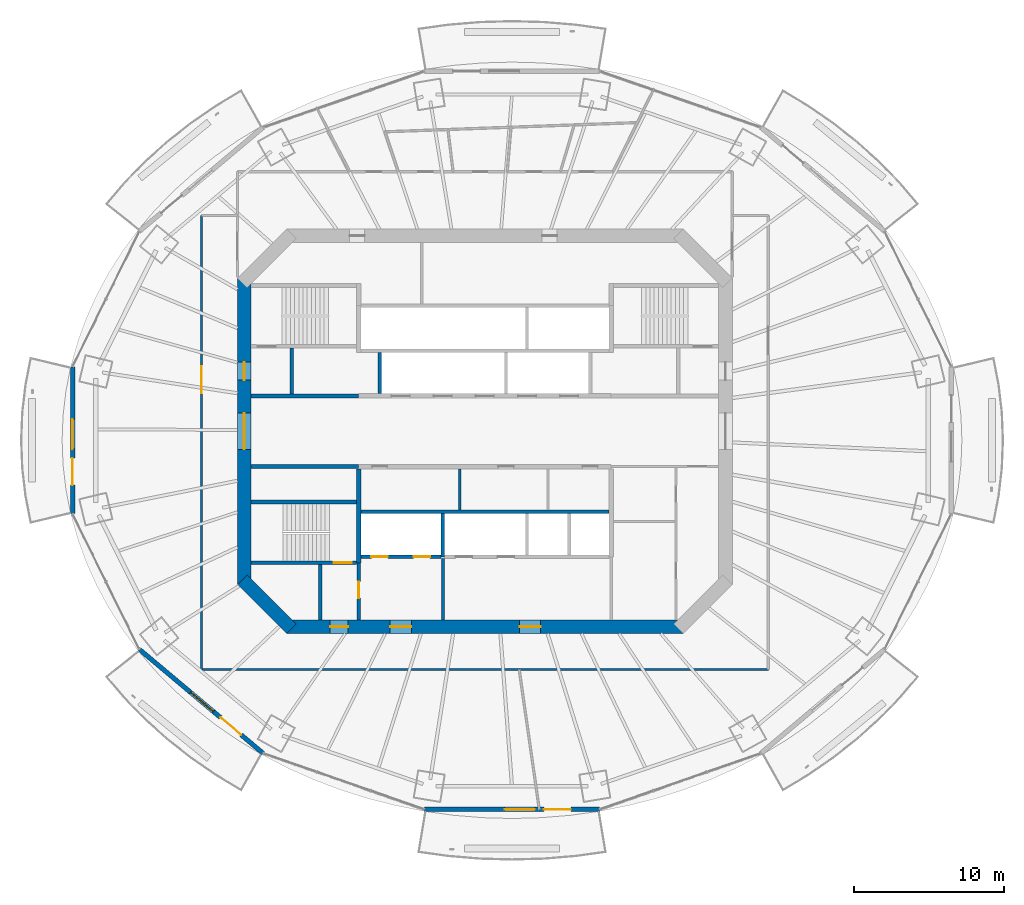
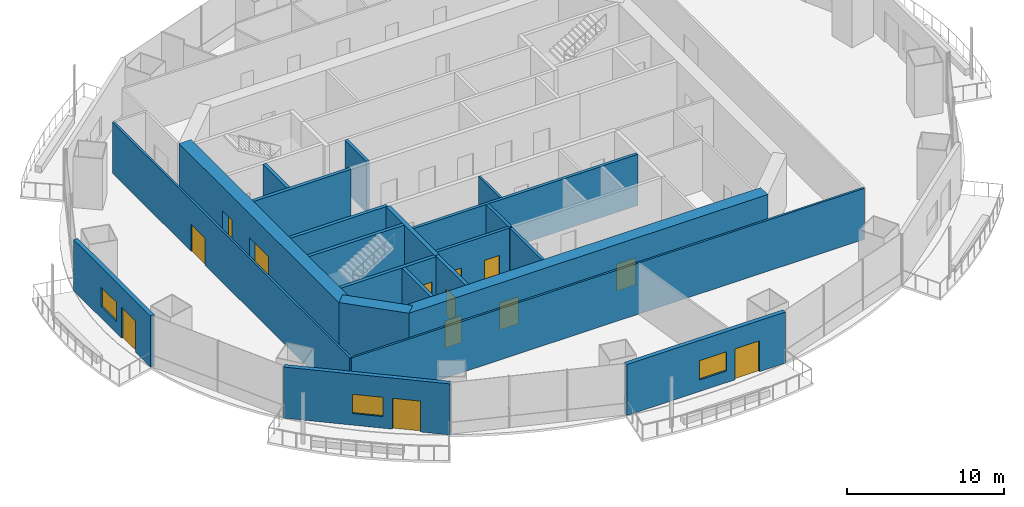
# One storey, part 10 of 19: 22 walls, 13 doors, 3 windows, 16 openings.
"""IFC4 building model written with IfcOpenShell, lengths in metres."""

from ifc_helpers import new_model, si_unit, direction, frame, frame_2d, origin, place, context, subcontext, project, spatial, rectangle, extrude, material, layer, layer_set, type_object, element, fill, save


model = new_model("IFC4")

# Units and contexts
model_context = context("Model", 3, precision=1e-05, world=origin(), true_north=direction((0.0, 1.0)))
body_context = subcontext(model_context, "Body", "Model", "MODEL_VIEW")
ifc_project = project(units=[si_unit("LENGTHUNIT", "METRE"), si_unit("AREAUNIT", "SQUARE_METRE"), si_unit("VOLUMEUNIT", "CUBIC_METRE"), si_unit("PLANEANGLEUNIT", "RADIAN"), si_unit("MASSUNIT", "GRAM", prefix="KILO")], contexts=[model_context])

# Site, building, storey
site_placement = place(None, origin())
site = spatial("IfcSite", under=ifc_project, at=site_placement, CompositionType="ELEMENT")
building_placement = place(site_placement, origin())
building = spatial("IfcBuilding", under=site, at=building_placement, Name="Marenthal Gate Tower", CompositionType="ELEMENT")
storey_placement = place(building_placement, frame((0.0, 0.0, 252.35009765625)))
storey = spatial("IfcBuildingStorey", under=building, at=storey_placement, Name="L56", CompositionType="ELEMENT", Elevation=252.35009765625)

# Wall, openings, doors
ifc_material_1 = material(Name="Concrete 60 MPa", Category="concrete")
ifc_layer_1 = layer(ifc_material_1, 0.89990234375)
ifc_layer_set_1 = layer_set([ifc_layer_1], Name="Core shear wall 900")
wall_type_1 = type_object("IfcWallType", Name="Core shear wall 900", PredefinedType="SHEAR", material=ifc_layer_set_1)
wall_1_placement = place(storey_placement, frame((-16.0, 10.186279296875, -0.18017578125), z_axis=(0.0, 0.0, 1.0), x_axis=(0.0, -1.0, 0.0)))
wall_1 = element("IfcWall", 1, at=wall_1_placement, inside=storey, type_object=wall_type_1, Name="Core wall 06", PredefinedType="SHEAR", context=body_context, shape_type="SweptSolid", body=[
    extrude(rectangle(XDim=20.37255859375, YDim=0.89990234375, at=frame_2d((10.186279296875, 0.0))), origin(), (0.0, 0.0, 1.0), 4.150146484375),
])
opening_1_placement = place(wall_1_placement, frame((8.986328125, 0.0, 0.179931640625)))
opening_1 = element("IfcOpeningElement", 2, at=opening_1_placement, cuts=wall_1, Name="Opening D003.01", PredefinedType="OPENING", context=body_context, shape_type="SweptSolid", body=[
    extrude(rectangle(XDim=2.39990234375, YDim=2.10009765625, at=frame_2d((1.199951171875, 1.050048828125))), frame((0.0, 0.4599609375, 0.0), z_axis=(0.0, -1.0, 0.0), x_axis=(1.0, 0.0, 0.0)), (0.0, 0.0, 1.0), 0.919921875),
])
opening_2_placement = place(wall_1_placement, frame((5.58642578125, 0.0, 0.179931640625)))
opening_2 = element("IfcOpeningElement", 3, at=opening_2_placement, cuts=wall_1, Name="Opening D001.04", PredefinedType="OPENING", context=body_context, shape_type="SweptSolid", body=[
    extrude(rectangle(XDim=1.199951171875, YDim=2.10009765625, at=frame_2d((0.60009765625, 1.050048828125))), frame((0.0, 0.4599609375, 0.0), z_axis=(0.0, -1.0, 0.0), x_axis=(1.0, 0.0, 0.0)), (0.0, 0.0, 1.0), 0.919921875),
])
ifc_material_2 = material(Name="Steel fire door", Category="steel")
door_type_1 = type_object("IfcDoorType", Name="Double fire door FD 45 2400 x 2100", OperationType="DOUBLE_DOOR_SINGLE_SWING", PredefinedType="DOOR", material=ifc_material_2)
door_1_placement = place(opening_1_placement, origin())
door_1 = element("IfcDoor", 4, at=door_1_placement, inside=storey, type_object=door_type_1, Name="Door D003.01", OperationType="DOUBLE_DOOR_SINGLE_SWING", OverallHeight=2.10009765625, OverallWidth=2.39990234375, PredefinedType="DOOR", context=body_context, shape_type="SweptSolid", body=[
    extrude(rectangle(XDim=2.39990234375, YDim=2.10009765625, at=frame_2d((1.199951171875, 1.050048828125))), frame((0.0, 0.02490234375, 0.0), z_axis=(0.0, -1.0, 0.0), x_axis=(1.0, 0.0, 0.0)), (0.0, 0.0, 1.0), 0.050048828125),
])
fill(opening_1, door_1)
ifc_material_3 = material(Name="Steel fire door", Category="steel")
door_type_2 = type_object("IfcDoorType", Name="Fire door FD 90 1200 x 2100", OperationType="NOTDEFINED", PredefinedType="DOOR", material=ifc_material_3)
door_2_placement = place(opening_2_placement, origin())
door_2 = element("IfcDoor", 5, at=door_2_placement, inside=storey, type_object=door_type_2, Name="Door D001.04", OperationType="SINGLE_SWING_RIGHT", OverallHeight=2.10009765625, OverallWidth=1.199951171875, PredefinedType="DOOR", context=body_context, shape_type="SweptSolid", body=[
    extrude(rectangle(XDim=1.199951171875, YDim=2.10009765625, at=frame_2d((0.60009765625, 1.050048828125))), frame((0.0, 0.02490234375, 0.0), z_axis=(0.0, -1.0, 0.0), x_axis=(1.0, 0.0, 0.0)), (0.0, 0.0, 1.0), 0.050048828125),
])
fill(opening_2, door_2)

# Wall
wall_2_placement = place(storey_placement, frame((-16.1318359375, -9.8681640625, -0.18017578125), z_axis=(0.0, 0.0, 1.0), x_axis=(0.707106781187, -0.707106781187, 0.0)))
element("IfcWall", 6, at=wall_2_placement, inside=storey, type_object=wall_type_1, Name="Core wall 07", PredefinedType="SHEAR", context=body_context, shape_type="SweptSolid", body=[
    extrude(rectangle(XDim=4.615478515625, YDim=0.89990234375, at=frame_2d((2.3076171875, 0.0))), origin(), (0.0, 0.0, 1.0), 4.150146484375),
])

# Wall, openings, doors
wall_3_placement = place(storey_placement, frame((-13.186279296875, -13.0, -0.18017578125), z_axis=(0.0, 0.0, 1.0), x_axis=(1.0, 0.0, 0.0)))
wall_3 = element("IfcWall", 7, at=wall_3_placement, inside=storey, type_object=wall_type_1, Name="Core wall 08", PredefinedType="SHEAR", context=body_context, shape_type="SweptSolid", body=[
    extrude(rectangle(XDim=26.37255859375, YDim=0.89990234375, at=frame_2d((13.186279296875, 0.0))), origin(), (0.0, 0.0, 1.0), 4.150146484375),
])
opening_3_placement = place(wall_3_placement, frame((2.886474609375, 0.0, 0.179931640625)))
opening_3 = element("IfcOpeningElement", 8, at=opening_3_placement, cuts=wall_3, Name="Opening D001.06", PredefinedType="OPENING", context=body_context, shape_type="SweptSolid", body=[
    extrude(rectangle(XDim=1.199951171875, YDim=2.10009765625, at=frame_2d((0.60009765625, 1.050048828125))), frame((0.0, 0.4599609375, 0.0), z_axis=(0.0, -1.0, 0.0), x_axis=(1.0, 0.0, 0.0)), (0.0, 0.0, 1.0), 0.919921875),
])
opening_4_placement = place(wall_3_placement, frame((6.886474609375, 0.0, 0.179931640625)))
opening_4 = element("IfcOpeningElement", 9, at=opening_4_placement, cuts=wall_3, Name="Opening D004.01", PredefinedType="OPENING", context=body_context, shape_type="SweptSolid", body=[
    extrude(rectangle(XDim=1.39990234375, YDim=2.10009765625, at=frame_2d((0.699951171875, 1.050048828125))), frame((0.0, 0.4599609375, 0.0), z_axis=(0.0, -1.0, 0.0), x_axis=(1.0, 0.0, 0.0)), (0.0, 0.0, 1.0), 0.919921875),
])
opening_5_placement = place(wall_3_placement, frame((15.486328125, 0.0, 0.179931640625)))
opening_5 = element("IfcOpeningElement", 10, at=opening_5_placement, cuts=wall_3, Name="Opening D004.02", PredefinedType="OPENING", context=body_context, shape_type="SweptSolid", body=[
    extrude(rectangle(XDim=1.39990234375, YDim=2.10009765625, at=frame_2d((0.699951171875, 1.050048828125))), frame((0.0, 0.4599609375, 0.0), z_axis=(0.0, -1.0, 0.0), x_axis=(1.0, 0.0, 0.0)), (0.0, 0.0, 1.0), 0.919921875),
])
ifc_material_4 = material(Name="Steel fire door", Category="steel")
door_type_3 = type_object("IfcDoorType", Name="Fire door FD 45 1400 x 2100", OperationType="NOTDEFINED", PredefinedType="DOOR", material=ifc_material_4)
door_3_placement = place(opening_4_placement, origin())
door_3 = element("IfcDoor", 11, at=door_3_placement, inside=storey, type_object=door_type_3, Name="Door D004.01", OperationType="SINGLE_SWING_RIGHT", OverallHeight=2.10009765625, OverallWidth=1.39990234375, PredefinedType="DOOR", context=body_context, shape_type="SweptSolid", body=[
    extrude(rectangle(XDim=1.39990234375, YDim=2.10009765625, at=frame_2d((0.699951171875, 1.050048828125))), frame((0.0, 0.02490234375, 0.0), z_axis=(0.0, -1.0, 0.0), x_axis=(1.0, 0.0, 0.0)), (0.0, 0.0, 1.0), 0.050048828125),
])
fill(opening_4, door_3)
door_4_placement = place(opening_5_placement, origin())
door_4 = element("IfcDoor", 12, at=door_4_placement, inside=storey, type_object=door_type_3, Name="Door D004.02", OperationType="SINGLE_SWING_RIGHT", OverallHeight=2.10009765625, OverallWidth=1.39990234375, PredefinedType="DOOR", context=body_context, shape_type="SweptSolid", body=[
    extrude(rectangle(XDim=1.39990234375, YDim=2.10009765625, at=frame_2d((0.699951171875, 1.050048828125))), frame((0.0, 0.02490234375, 0.0), z_axis=(0.0, -1.0, 0.0), x_axis=(1.0, 0.0, 0.0)), (0.0, 0.0, 1.0), 0.050048828125),
])
fill(opening_5, door_4)
door_5_placement = place(opening_3_placement, origin())
door_5 = element("IfcDoor", 13, at=door_5_placement, inside=storey, type_object=door_type_2, Name="Door D001.06", OperationType="SINGLE_SWING_RIGHT", OverallHeight=2.10009765625, OverallWidth=1.199951171875, PredefinedType="DOOR", context=body_context, shape_type="SweptSolid", body=[
    extrude(rectangle(XDim=1.199951171875, YDim=2.10009765625, at=frame_2d((0.60009765625, 1.050048828125))), frame((0.0, 0.02490234375, 0.0), z_axis=(0.0, -1.0, 0.0), x_axis=(1.0, 0.0, 0.0)), (0.0, 0.0, 1.0), 0.050048828125),
])
fill(opening_3, door_5)

# Walls
ifc_material_5 = material(Name="Gypsum board on steel studs", Category="steel")
ifc_layer_2 = layer(ifc_material_5, 0.199951171875)
ifc_layer_set_2 = layer_set([ifc_layer_2], Name="Fire lobby wall 200")
wall_type_2 = type_object("IfcWallType", Name="Fire lobby wall 200", PredefinedType="PARTITIONING", material=ifc_layer_set_2)
wall_4_placement = place(storey_placement, frame((-2.800048828125, -12.550048828125, 0.0), z_axis=(0.0, 0.0, 1.0), x_axis=(0.0, 1.0, 0.0)))
element("IfcWall", 14, at=wall_4_placement, inside=storey, type_object=wall_type_2, Name="Fire wall 35", PredefinedType="PARTITIONING", context=body_context, shape_type="SweptSolid", body=[
    extrude(rectangle(XDim=4.090087890625, YDim=0.199951171875, at=frame_2d((2.044921875, 0.0))), origin(), (0.0, 0.0, 1.0), 3.969970703125),
])
ifc_material_6 = material(Name="Concrete 50 MPa", Category="concrete")
ifc_layer_3 = layer(ifc_material_6, 0.300048828125)
ifc_layer_set_3 = layer_set([ifc_layer_3], Name="Hoistway shear wall 300")
wall_type_3 = type_object("IfcWallType", Name="Hoistway shear wall 300", PredefinedType="SHEAR", material=ifc_layer_set_3)
wall_5_placement = place(storey_placement, frame((-8.39990234375, -8.75, -0.18017578125), z_axis=(0.0, 0.0, 1.0), x_axis=(0.0, 1.0, 0.0)))
element("IfcWall", 15, at=wall_5_placement, inside=storey, type_object=wall_type_3, Name="Hoistway wall 30", PredefinedType="SHEAR", context=body_context, shape_type="SweptSolid", body=[
    extrude(rectangle(XDim=6.25, YDim=0.300048828125, at=frame_2d((3.125, 0.0))), origin(), (0.0, 0.0, 1.0), 4.150146484375),
])

# Wall, openings, doors
ifc_material_7 = material(Name="Concrete 40 MPa", Category="concrete")
ifc_layer_4 = layer(ifc_material_7, 0.219970703125)
ifc_layer_set_4 = layer_set([ifc_layer_4], Name="Hoistway wall 220")
wall_type_4 = type_object("IfcWallType", Name="Hoistway wall 220", PredefinedType="STANDARD", material=ifc_layer_set_4)
wall_6_placement = place(storey_placement, frame((-8.25, -8.35009765625, 0.0), z_axis=(0.0, 0.0, 1.0), x_axis=(1.0, 0.0, 0.0)))
wall_6 = element("IfcWall", 16, at=wall_6_placement, inside=storey, type_object=wall_type_4, Name="Hoistway wall 10", PredefinedType="STANDARD", context=body_context, shape_type="SweptSolid", body=[
    extrude(rectangle(XDim=5.340087890625, YDim=0.219970703125, at=frame_2d((2.669921875, 0.0))), origin(), (0.0, 0.0, 1.0), 3.969970703125),
])
opening_6_placement = place(wall_6_placement, frame((0.699951171875, 0.0, 0.0)))
opening_6 = element("IfcOpeningElement", 17, at=opening_6_placement, cuts=wall_6, Name="Opening LD-LF1", PredefinedType="OPENING", context=body_context, shape_type="SweptSolid", body=[
    extrude(rectangle(XDim=1.10009765625, YDim=2.10009765625, at=frame_2d((0.550048828125, 1.050048828125))), frame((0.0, 0.1201171875, 0.0), z_axis=(0.0, -1.0, 0.0), x_axis=(1.0, 0.0, 0.0)), (0.0, 0.0, 1.0), 0.239990234375),
])
opening_7_placement = place(wall_6_placement, frame((3.5, 0.0, 0.0)))
opening_7 = element("IfcOpeningElement", 18, at=opening_7_placement, cuts=wall_6, Name="Opening LD-LF2", PredefinedType="OPENING", context=body_context, shape_type="SweptSolid", body=[
    extrude(rectangle(XDim=1.10009765625, YDim=2.10009765625, at=frame_2d((0.550048828125, 1.050048828125))), frame((0.0, 0.1201171875, 0.0), z_axis=(0.0, -1.0, 0.0), x_axis=(1.0, 0.0, 0.0)), (0.0, 0.0, 1.0), 0.239990234375),
])
ifc_material_8 = material(Name="Stainless steel sliding door", Category="steel")
door_type_4 = type_object("IfcDoorType", Name="Lift landing door FD 90 1100 x 2100", OperationType="DOUBLE_DOOR_SLIDING", PredefinedType="DOOR", material=ifc_material_8)
door_6_placement = place(opening_6_placement, origin())
door_6 = element("IfcDoor", 19, at=door_6_placement, inside=storey, type_object=door_type_4, Name="Lift landing door LF1", OperationType="DOUBLE_DOOR_SLIDING", OverallHeight=2.10009765625, OverallWidth=1.10009765625, PredefinedType="DOOR", context=body_context, shape_type="SweptSolid", body=[
    extrude(rectangle(XDim=1.10009765625, YDim=2.10009765625, at=frame_2d((0.550048828125, 1.050048828125))), frame((0.0, 0.02490234375, 0.0), z_axis=(0.0, -1.0, 0.0), x_axis=(1.0, 0.0, 0.0)), (0.0, 0.0, 1.0), 0.050048828125),
])
fill(opening_6, door_6)
door_7_placement = place(opening_7_placement, origin())
door_7 = element("IfcDoor", 20, at=door_7_placement, inside=storey, type_object=door_type_4, Name="Lift landing door LF2", OperationType="DOUBLE_DOOR_SLIDING", OverallHeight=2.10009765625, OverallWidth=1.10009765625, PredefinedType="DOOR", context=body_context, shape_type="SweptSolid", body=[
    extrude(rectangle(XDim=1.10009765625, YDim=2.10009765625, at=frame_2d((0.550048828125, 1.050048828125))), frame((0.0, 0.02490234375, 0.0), z_axis=(0.0, -1.0, 0.0), x_axis=(1.0, 0.0, 0.0)), (0.0, 0.0, 1.0), 0.050048828125),
])
fill(opening_7, door_7)

# Walls
wall_7_placement = place(storey_placement, frame((-8.25, -5.35009765625, 0.0), z_axis=(0.0, 0.0, 1.0), x_axis=(1.0, 0.0, 0.0)))
element("IfcWall", 21, at=wall_7_placement, inside=storey, type_object=wall_type_4, Name="Hoistway wall 13", PredefinedType="STANDARD", context=body_context, shape_type="SweptSolid", body=[
    extrude(rectangle(XDim=16.5, YDim=0.219970703125, at=frame_2d((8.25, 0.0))), origin(), (0.0, 0.0, 1.0), 3.969970703125),
])
wall_8_placement = place(storey_placement, frame((-7.0, 2.5, 0.0), z_axis=(0.0, 0.0, 1.0), x_axis=(0.0, 1.0, 0.0)))
element("IfcWall", 22, at=wall_8_placement, inside=storey, type_object=wall_type_4, Name="Hoistway wall 33", PredefinedType="STANDARD", context=body_context, shape_type="SweptSolid", body=[
    extrude(rectangle(XDim=2.739990234375, YDim=0.219970703125, at=frame_2d((1.3701171875, 0.0))), origin(), (0.0, 0.0, 1.0), 3.969970703125),
])
wall_9_placement = place(storey_placement, frame((-2.800048828125, -8.35009765625, 0.0), z_axis=(0.0, 0.0, 1.0), x_axis=(0.0, 1.0, 0.0)))
element("IfcWall", 23, at=wall_9_placement, inside=storey, type_object=wall_type_4, Name="Hoistway wall 36", PredefinedType="STANDARD", context=body_context, shape_type="SweptSolid", body=[
    extrude(rectangle(XDim=2.89013671875, YDim=0.219970703125, at=frame_2d((1.445068359375, 0.0))), origin(), (0.0, 0.0, 1.0), 3.969970703125),
])
ifc_material_9 = material(Name="Gypsum board on steel studs", Category="steel")
ifc_layer_5 = layer(ifc_material_9, 0.14990234375)
ifc_layer_set_5 = layer_set([ifc_layer_5], Name="Partition 150")
wall_type_5 = type_object("IfcWallType", Name="Partition 150", PredefinedType="PARTITIONING", material=ifc_layer_set_5)
wall_10_placement = place(storey_placement, frame((-1.679931640625, -5.239990234375, 0.0), z_axis=(0.0, 0.0, 1.0), x_axis=(0.0, 1.0, 0.0)))
element("IfcWall", 24, at=wall_10_placement, inside=storey, type_object=wall_type_5, Name="Partition wall 37", PredefinedType="PARTITIONING", context=body_context, shape_type="SweptSolid", body=[
    extrude(rectangle(XDim=2.739990234375, YDim=0.14990234375, at=frame_2d((1.3701171875, 0.0))), origin(), (0.0, 0.0, 1.0), 3.969970703125),
])

# Wall, opening, door
wall_11_placement = place(storey_placement, frame((-18.85009765625, -15.85009765625, 0.0), z_axis=(0.0, 0.0, 1.0), x_axis=(0.0, 1.0, 0.0)))
wall_11 = element("IfcWall", 25, at=wall_11_placement, inside=storey, type_object=wall_type_5, Name="Partition wall 50", PredefinedType="PARTITIONING", context=body_context, shape_type="SweptSolid", body=[
    extrude(rectangle(XDim=30.207275390625, YDim=0.14990234375, at=frame_2d((15.103515625, 0.0))), origin(), (0.0, 0.0, 1.0), 3.969970703125),
])
opening_8_placement = place(wall_11_placement, frame((18.389892578125, 0.0, 0.0)))
opening_8 = element("IfcOpeningElement", 26, at=opening_8_placement, cuts=wall_11, Name="Opening D014.01", PredefinedType="OPENING", context=body_context, shape_type="SweptSolid", body=[
    extrude(rectangle(XDim=1.800048828125, YDim=2.10009765625, at=frame_2d((0.89990234375, 1.050048828125))), frame((0.0, 0.0849609375, 0.0), z_axis=(0.0, -1.0, 0.0), x_axis=(1.0, 0.0, 0.0)), (0.0, 0.0, 1.0), 0.169921875),
])
ifc_material_10 = material(Name="Timber door", Category="wood")
door_type_5 = type_object("IfcDoorType", Name="Double door 1800 x 2100", OperationType="DOUBLE_DOOR_SINGLE_SWING", PredefinedType="DOOR", material=ifc_material_10)
door_8_placement = place(opening_8_placement, origin())
door_8 = element("IfcDoor", 27, at=door_8_placement, inside=storey, type_object=door_type_5, Name="Door D014.01", OperationType="DOUBLE_DOOR_SINGLE_SWING", OverallHeight=2.10009765625, OverallWidth=1.800048828125, PredefinedType="DOOR", context=body_context, shape_type="SweptSolid", body=[
    extrude(rectangle(XDim=1.800048828125, YDim=2.10009765625, at=frame_2d((0.89990234375, 1.050048828125))), frame((0.0, 0.02490234375, 0.0), z_axis=(0.0, -1.0, 0.0), x_axis=(1.0, 0.0, 0.0)), (0.0, 0.0, 1.0), 0.050048828125),
])
fill(opening_8, door_8)

# Walls
wall_12_placement = place(storey_placement, frame((18.85009765625, -15.85009765625, 0.0), z_axis=(0.0, 0.0, 1.0), x_axis=(-1.0, 0.0, 0.0)))
element("IfcWall", 28, at=wall_12_placement, inside=storey, type_object=wall_type_5, Name="Partition wall 64", PredefinedType="PARTITIONING", context=body_context, shape_type="SweptSolid", body=[
    extrude(rectangle(XDim=37.7001953125, YDim=0.14990234375, at=frame_2d((18.85009765625, 0.0))), origin(), (0.0, 0.0, 1.0), 3.969970703125),
])
ifc_material_11 = material(Name="Concrete 40 MPa", Category="concrete")
ifc_layer_6 = layer(ifc_material_11, 0.25)
ifc_layer_set_6 = layer_set([ifc_layer_6], Name="Stair enclosure wall 250")
wall_type_6 = type_object("IfcWallType", Name="Stair enclosure wall 250", PredefinedType="STANDARD", material=ifc_layer_set_6)
for number, where, z_axis, x_axis, name in (
    (29, (-15.550048828125, -2.35009765625, 0.0), (0.0, 0.0, 1.0), (1.0, 0.0, 0.0), "Stair wall 15"),
    (30, (-15.550048828125, 2.35009765625, 0.0), (0.0, 0.0, 1.0), (1.0, 0.0, 0.0), "Stair wall 18"),
):
    element("IfcWall", number, at=place(storey_placement, frame(where, z_axis=z_axis, x_axis=x_axis)), inside=storey, type_object=wall_type_6, Name=name, PredefinedType="STANDARD", context=body_context, shape_type="SweptSolid", body=[
        extrude(rectangle(XDim=7.150146484375, YDim=0.25, at=frame_2d((3.5751953125, 0.0))), origin(), (0.0, 0.0, 1.0), 3.969970703125),
    ])
wall_13_placement = place(storey_placement, frame((-12.85009765625, 2.47509765625, 0.0), z_axis=(0.0, 0.0, 1.0), x_axis=(0.0, 1.0, 0.0)))
element("IfcWall", 31, at=wall_13_placement, inside=storey, type_object=wall_type_6, Name="Stair wall 27", PredefinedType="STANDARD", context=body_context, shape_type="SweptSolid", body=[
    extrude(rectangle(XDim=3.0498046875, YDim=0.25, at=frame_2d((1.52490234375, 0.0))), origin(), (0.0, 0.0, 1.0), 3.969970703125),
])
wall_14_placement = place(storey_placement, frame((-10.949951171875, -12.550048828125, 0.0), z_axis=(0.0, 0.0, 1.0), x_axis=(0.0, 1.0, 0.0)))
element("IfcWall", 32, at=wall_14_placement, inside=storey, type_object=wall_type_6, Name="Stair wall 28", PredefinedType="STANDARD", context=body_context, shape_type="SweptSolid", body=[
    extrude(rectangle(XDim=3.675048828125, YDim=0.25, at=frame_2d((1.83740234375, 0.0))), origin(), (0.0, 0.0, 1.0), 3.969970703125),
])

# Wall, opening, door
wall_15_placement = place(storey_placement, frame((-8.39990234375, -12.550048828125, 0.0), z_axis=(0.0, 0.0, 1.0), x_axis=(0.0, 1.0, 0.0)))
wall_15 = element("IfcWall", 33, at=wall_15_placement, inside=storey, type_object=wall_type_6, Name="Stair wall 29", PredefinedType="STANDARD", context=body_context, shape_type="SweptSolid", body=[
    extrude(rectangle(XDim=3.800048828125, YDim=0.25, at=frame_2d((1.89990234375, 0.0))), origin(), (0.0, 0.0, 1.0), 3.969970703125),
])
opening_9_placement = place(wall_15_placement, frame((1.449951171875, 0.0, 0.0)))
opening_9 = element("IfcOpeningElement", 34, at=opening_9_placement, cuts=wall_15, Name="Opening D002.01", PredefinedType="OPENING", context=body_context, shape_type="SweptSolid", body=[
    extrude(rectangle(XDim=1.10009765625, YDim=2.10009765625, at=frame_2d((0.550048828125, 1.050048828125))), frame((0.0, 0.135009765625, 0.0), z_axis=(0.0, -1.0, 0.0), x_axis=(1.0, 0.0, 0.0)), (0.0, 0.0, 1.0), 0.27001953125),
])
ifc_material_12 = material(Name="Steel fire door", Category="steel")
door_type_6 = type_object("IfcDoorType", Name="Fire door FD 90 1100 x 2100", OperationType="NOTDEFINED", PredefinedType="DOOR", material=ifc_material_12)
door_9_placement = place(opening_9_placement, origin())
door_9 = element("IfcDoor", 35, at=door_9_placement, inside=storey, type_object=door_type_6, Name="Door D002.01", OperationType="SINGLE_SWING_RIGHT", OverallHeight=2.10009765625, OverallWidth=1.10009765625, PredefinedType="DOOR", context=body_context, shape_type="SweptSolid", body=[
    extrude(rectangle(XDim=1.10009765625, YDim=2.10009765625, at=frame_2d((0.550048828125, 1.050048828125))), frame((0.0, 0.02490234375, 0.0), z_axis=(0.0, -1.0, 0.0), x_axis=(1.0, 0.0, 0.0)), (0.0, 0.0, 1.0), 0.050048828125),
])
fill(opening_9, door_9)

ifc_material_13 = material(Name="Concrete 50 MPa", Category="concrete")
ifc_layer_7 = layer(ifc_material_13, 0.25)
ifc_layer_set_7 = layer_set([ifc_layer_7], Name="Stair shear wall 250")
wall_type_7 = type_object("IfcWallType", Name="Stair shear wall 250", PredefinedType="SHEAR", material=ifc_layer_set_7)
wall_16_placement = place(storey_placement, frame((-15.550048828125, -8.75, -0.18017578125), z_axis=(0.0, 0.0, 1.0), x_axis=(1.0, 0.0, 0.0)))
wall_16 = element("IfcWall", 36, at=wall_16_placement, inside=storey, type_object=wall_type_7, Name="Stair wall 09", PredefinedType="SHEAR", context=body_context, shape_type="SweptSolid", body=[
    extrude(rectangle(XDim=7.0, YDim=0.25, at=frame_2d((3.5, 0.0))), origin(), (0.0, 0.0, 1.0), 4.150146484375),
])
opening_10_placement = place(wall_16_placement, frame((5.5, 0.0, 0.179931640625)))
opening_10 = element("IfcOpeningElement", 37, at=opening_10_placement, cuts=wall_16, Name="Opening D001.03", PredefinedType="OPENING", context=body_context, shape_type="SweptSolid", body=[
    extrude(rectangle(XDim=1.199951171875, YDim=2.10009765625, at=frame_2d((0.60009765625, 1.050048828125))), frame((0.0, 0.135009765625, 0.0), z_axis=(0.0, -1.0, 0.0), x_axis=(1.0, 0.0, 0.0)), (0.0, 0.0, 1.0), 0.27001953125),
])
door_10_placement = place(opening_10_placement, origin())
door_10 = element("IfcDoor", 38, at=door_10_placement, inside=storey, type_object=door_type_2, Name="Door D001.03", OperationType="SINGLE_SWING_RIGHT", OverallHeight=2.10009765625, OverallWidth=1.199951171875, PredefinedType="DOOR", context=body_context, shape_type="SweptSolid", body=[
    extrude(rectangle(XDim=1.199951171875, YDim=2.10009765625, at=frame_2d((0.60009765625, 1.050048828125))), frame((0.0, 0.02490234375, 0.0), z_axis=(0.0, -1.0, 0.0), x_axis=(1.0, 0.0, 0.0)), (0.0, 0.0, 1.0), 0.050048828125),
])
fill(opening_10, door_10)

# Wall
wall_17_placement = place(storey_placement, frame((-15.550048828125, -4.699951171875, -0.18017578125), z_axis=(0.0, 0.0, 1.0), x_axis=(1.0, 0.0, 0.0)))
element("IfcWall", 39, at=wall_17_placement, inside=storey, type_object=wall_type_7, Name="Stair wall 14", PredefinedType="SHEAR", context=body_context, shape_type="SweptSolid", body=[
    extrude(rectangle(XDim=7.0, YDim=0.25, at=frame_2d((3.5, 0.0))), origin(), (0.0, 0.0, 1.0), 4.150146484375),
])

# Wall, openings, door, window
ifc_material_14 = material(Name="Terracotta cladding on insulated concrete-block backing", Category="masonry")
ifc_layer_8 = layer(ifc_material_14, 0.300048828125)
ifc_layer_set_8 = layer_set([ifc_layer_8], Name="Terracotta facade wall 300")
wall_type_8 = type_object("IfcWallType", Name="Terracotta facade wall 300", PredefinedType="SOLIDWALL", material=ifc_layer_set_8)
wall_18_placement = place(storey_placement, frame((-27.430419921875, 4.283935546875, 0.0), z_axis=(0.0, 0.0, 1.0), x_axis=(0.0, -1.0, 0.0)))
wall_18 = element("IfcWall", 40, at=wall_18_placement, inside=storey, type_object=wall_type_8, Name="Terracotta facade wall L56 bay 8", PredefinedType="SOLIDWALL", context=body_context, shape_type="SweptSolid", body=[
    extrude(rectangle(XDim=9.767822265625, YDim=0.300048828125, at=frame_2d((4.8837890625, 0.0))), origin(), (0.0, 0.0, 1.0), 3.969970703125),
])
opening_11_placement = place(wall_18_placement, frame((6.06787109375, 0.0, 0.0)))
opening_11 = element("IfcOpeningElement", 41, at=opening_11_placement, cuts=wall_18, Name="Opening BD-L56-08", PredefinedType="OPENING", context=body_context, shape_type="SweptSolid", body=[
    extrude(rectangle(XDim=1.800048828125, YDim=2.39990234375, at=frame_2d((0.89990234375, 1.199951171875))), frame((0.0, 0.16015625, 0.0), z_axis=(0.0, -1.0, 0.0), x_axis=(1.0, 0.0, 0.0)), (0.0, 0.0, 1.0), 0.320068359375),
])
opening_12_placement = place(wall_18_placement, frame((3.4677734375, 0.0, 0.89990234375)))
opening_12 = element("IfcOpeningElement", 42, at=opening_12_placement, cuts=wall_18, Name="Opening WN2-L56-08", PredefinedType="OPENING", context=body_context, shape_type="SweptSolid", body=[
    extrude(rectangle(XDim=2.0, YDim=1.5, at=frame_2d((1.0, 0.75))), frame((0.0, 0.16015625, 0.0), z_axis=(0.0, -1.0, 0.0), x_axis=(1.0, 0.0, 0.0)), (0.0, 0.0, 1.0), 0.320068359375),
])
ifc_material_15 = material(Name="Aluminium and glass", Category="aluminium")
door_type_7 = type_object("IfcDoorType", Name="Balcony door 1800x2400", OperationType="DOUBLE_DOOR_SINGLE_SWING", PredefinedType="DOOR", material=ifc_material_15)
door_11_placement = place(opening_11_placement, origin())
door_11 = element("IfcDoor", 43, at=door_11_placement, inside=storey, type_object=door_type_7, Name="Balcony door L56 bay 8", OperationType="SINGLE_SWING_LEFT", OverallHeight=2.39990234375, OverallWidth=1.800048828125, PredefinedType="DOOR", context=body_context, shape_type="SweptSolid", body=[
    extrude(rectangle(XDim=1.800048828125, YDim=2.39990234375, at=frame_2d((0.89990234375, 1.199951171875))), frame((0.0, 0.02490234375, 0.0), z_axis=(0.0, -1.0, 0.0), x_axis=(1.0, 0.0, 0.0)), (0.0, 0.0, 1.0), 0.050048828125),
])
fill(opening_11, door_11)
ifc_material_16 = material(Name="Aluminium and glass", Category="aluminium")
window_type = type_object("IfcWindowType", Name="Window 2000x1500", PartitioningType="DOUBLE_PANEL_VERTICAL", PredefinedType="WINDOW", material=ifc_material_16)
window_1_placement = place(opening_12_placement, origin())
window_1 = element("IfcWindow", 44, at=window_1_placement, inside=storey, type_object=window_type, Name="Window L56 bay 8", OverallHeight=1.5, OverallWidth=2.0, PartitioningType="SINGLE_PANEL", PredefinedType="WINDOW", context=body_context, shape_type="SweptSolid", body=[
    extrude(rectangle(XDim=2.0, YDim=1.5, at=frame_2d((1.0, 0.75))), frame((0.0, 0.030029296875, 0.0), z_axis=(0.0, -1.0, 0.0), x_axis=(1.0, 0.0, 0.0)), (0.0, 0.0, 1.0), 0.06005859375),
])
fill(opening_12, window_1)

wall_19_placement = place(storey_placement, frame((-22.980224609375, -14.508056640625, 0.0), z_axis=(0.0, 0.0, 1.0), x_axis=(0.765697698686, -0.643200617403, 0.0)))
wall_19 = element("IfcWall", 45, at=wall_19_placement, inside=storey, type_object=wall_type_8, Name="Terracotta facade wall L56 bay 10", PredefinedType="SOLIDWALL", context=body_context, shape_type="SweptSolid", body=[
    extrude(rectangle(XDim=10.738525390625, YDim=0.300048828125, at=frame_2d((5.369140625, 0.0))), origin(), (0.0, 0.0, 1.0), 3.969970703125),
])
opening_13_placement = place(wall_19_placement, frame((7.03857421875, 0.0, 0.0)))
opening_13 = element("IfcOpeningElement", 46, at=opening_13_placement, cuts=wall_19, Name="Opening BD-L56-10", PredefinedType="OPENING", context=body_context, shape_type="SweptSolid", body=[
    extrude(rectangle(XDim=1.800048828125, YDim=2.39990234375, at=frame_2d((0.89990234375, 1.199951171875))), frame((0.0, 0.16015625, 0.0), z_axis=(0.0, -1.0, 0.0), x_axis=(1.0, 0.0, 0.0)), (0.0, 0.0, 1.0), 0.320068359375),
])
opening_14_placement = place(wall_19_placement, frame((4.4384765625, 0.0, 0.89990234375)))
opening_14 = element("IfcOpeningElement", 47, at=opening_14_placement, cuts=wall_19, Name="Opening WN2-L56-10", PredefinedType="OPENING", context=body_context, shape_type="SweptSolid", body=[
    extrude(rectangle(XDim=2.0, YDim=1.5, at=frame_2d((1.0, 0.75))), frame((0.0, 0.16015625, 0.0), z_axis=(0.0, -1.0, 0.0), x_axis=(1.0, 0.0, 0.0)), (0.0, 0.0, 1.0), 0.320068359375),
])
door_12_placement = place(opening_13_placement, origin())
door_12 = element("IfcDoor", 48, at=door_12_placement, inside=storey, type_object=door_type_7, Name="Balcony door L56 bay 10", OperationType="SINGLE_SWING_LEFT", OverallHeight=2.39990234375, OverallWidth=1.800048828125, PredefinedType="DOOR", context=body_context, shape_type="SweptSolid", body=[
    extrude(rectangle(XDim=1.800048828125, YDim=2.39990234375, at=frame_2d((0.89990234375, 1.199951171875))), frame((0.0, 0.02490234375, 0.0), z_axis=(0.0, -1.0, 0.0), x_axis=(1.0, 0.0, 0.0)), (0.0, 0.0, 1.0), 0.050048828125),
])
fill(opening_13, door_12)
window_2_placement = place(opening_14_placement, origin())
window_2 = element("IfcWindow", 49, at=window_2_placement, inside=storey, type_object=window_type, Name="Window L56 bay 10", OverallHeight=1.5, OverallWidth=2.0, PartitioningType="SINGLE_PANEL", PredefinedType="WINDOW", context=body_context, shape_type="SweptSolid", body=[
    extrude(rectangle(XDim=2.0, YDim=1.5, at=frame_2d((1.0, 0.75))), frame((0.0, 0.030029296875, 0.0), z_axis=(0.0, -1.0, 0.0), x_axis=(1.0, 0.0, 0.0)), (0.0, 0.0, 1.0), 0.06005859375),
])
fill(opening_14, window_2)

wall_20_placement = place(storey_placement, frame((-4.014404296875, -25.153076171875, 0.0), z_axis=(0.0, 0.0, 1.0), x_axis=(1.0, 0.0, 0.0)))
wall_20 = element("IfcWall", 50, at=wall_20_placement, inside=storey, type_object=wall_type_8, Name="Terracotta facade wall L56 bay 12", PredefinedType="SOLIDWALL", context=body_context, shape_type="SweptSolid", body=[
    extrude(rectangle(XDim=11.628662109375, YDim=0.300048828125, at=frame_2d((5.814453125, 0.0))), origin(), (0.0, 0.0, 1.0), 3.969970703125),
])
opening_15_placement = place(wall_20_placement, frame((7.9287109375, 0.0, 0.0)))
opening_15 = element("IfcOpeningElement", 51, at=opening_15_placement, cuts=wall_20, Name="Opening BD-L56-12", PredefinedType="OPENING", context=body_context, shape_type="SweptSolid", body=[
    extrude(rectangle(XDim=1.800048828125, YDim=2.39990234375, at=frame_2d((0.89990234375, 1.199951171875))), frame((0.0, 0.16015625, 0.0), z_axis=(0.0, -1.0, 0.0), x_axis=(1.0, 0.0, 0.0)), (0.0, 0.0, 1.0), 0.320068359375),
])
opening_16_placement = place(wall_20_placement, frame((5.32861328125, 0.0, 0.89990234375)))
opening_16 = element("IfcOpeningElement", 52, at=opening_16_placement, cuts=wall_20, Name="Opening WN2-L56-12", PredefinedType="OPENING", context=body_context, shape_type="SweptSolid", body=[
    extrude(rectangle(XDim=2.0, YDim=1.5, at=frame_2d((1.0, 0.75))), frame((0.0, 0.16015625, 0.0), z_axis=(0.0, -1.0, 0.0), x_axis=(1.0, 0.0, 0.0)), (0.0, 0.0, 1.0), 0.320068359375),
])
door_13_placement = place(opening_15_placement, origin())
door_13 = element("IfcDoor", 53, at=door_13_placement, inside=storey, type_object=door_type_7, Name="Balcony door L56 bay 12", OperationType="SINGLE_SWING_LEFT", OverallHeight=2.39990234375, OverallWidth=1.800048828125, PredefinedType="DOOR", context=body_context, shape_type="SweptSolid", body=[
    extrude(rectangle(XDim=1.800048828125, YDim=2.39990234375, at=frame_2d((0.89990234375, 1.199951171875))), frame((0.0, 0.02490234375, 0.0), z_axis=(0.0, -1.0, 0.0), x_axis=(1.0, 0.0, 0.0)), (0.0, 0.0, 1.0), 0.050048828125),
])
fill(opening_15, door_13)
window_3_placement = place(opening_16_placement, origin())
window_3 = element("IfcWindow", 54, at=window_3_placement, inside=storey, type_object=window_type, Name="Window L56 bay 12", OverallHeight=1.5, OverallWidth=2.0, PartitioningType="SINGLE_PANEL", PredefinedType="WINDOW", context=body_context, shape_type="SweptSolid", body=[
    extrude(rectangle(XDim=2.0, YDim=1.5, at=frame_2d((1.0, 0.75))), frame((0.0, 0.030029296875, 0.0), z_axis=(0.0, -1.0, 0.0), x_axis=(1.0, 0.0, 0.0)), (0.0, 0.0, 1.0), 0.06005859375),
])
fill(opening_16, window_3)

save(model, "model.ifc")
